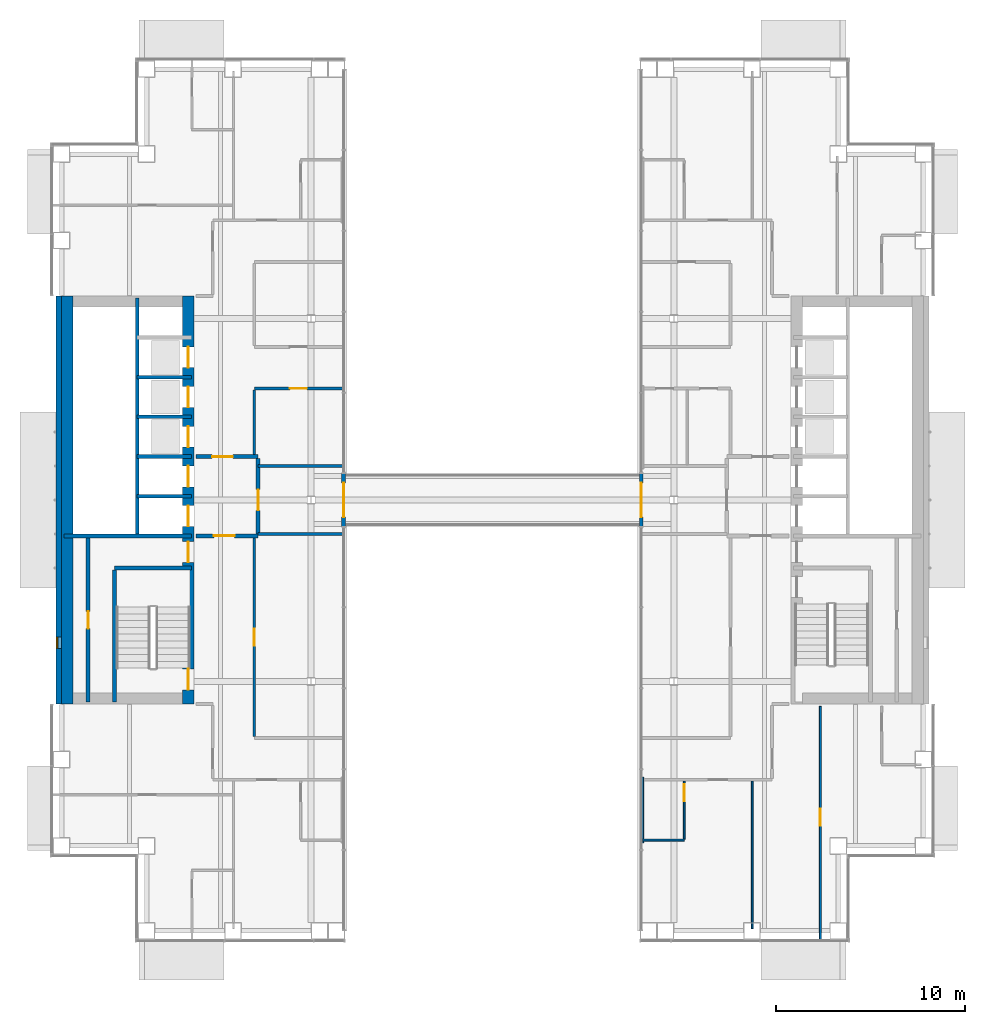
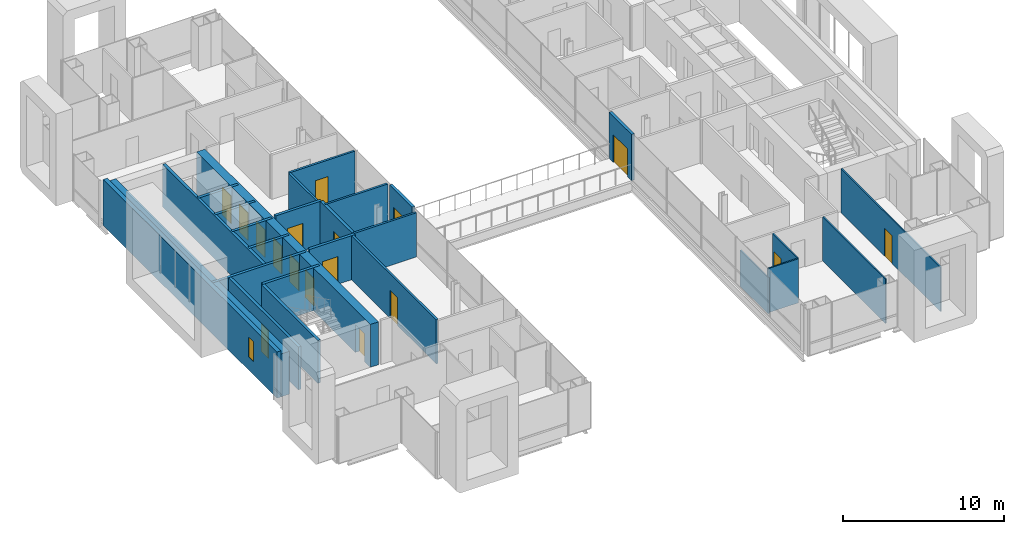
# One storey, part 12 of 20: 27 walls, 17 doors, 1 window, 18 openings.
"""IFC4 building model written with IfcOpenShell, lengths in metres."""

from ifc_helpers import new_model, si_unit, direction, frame, frame_2d, origin, place, context, subcontext, project, spatial, rectangle, extrude, material, layer, layer_set, type_object, element, fill, save


model = new_model("IFC4")

# Units and contexts
model_context = context("Model", 3, precision=1e-05, world=origin(), true_north=direction((0.0, 1.0)))
body_context = subcontext(model_context, "Body", "Model", "MODEL_VIEW")
ifc_project = project(units=[si_unit("LENGTHUNIT", "METRE"), si_unit("AREAUNIT", "SQUARE_METRE"), si_unit("VOLUMEUNIT", "CUBIC_METRE"), si_unit("PLANEANGLEUNIT", "RADIAN"), si_unit("MASSUNIT", "GRAM", prefix="KILO")], contexts=[model_context])

# Site, building, storey
site_placement = place(None, origin())
site = spatial("IfcSite", under=ifc_project, at=site_placement, CompositionType="ELEMENT")
building_placement = place(site_placement, origin())
building = spatial("IfcBuilding", under=site, at=building_placement, Name="Cobrizo Arcos Hotel Tower", CompositionType="ELEMENT")
storey_placement = place(building_placement, frame((0.0, 0.0, 124.0)))
storey = spatial("IfcBuildingStorey", under=building, at=storey_placement, Name="L31", CompositionType="ELEMENT", Elevation=124.0)

# Walls
ifc_material_1 = material(Name="Gypsum board partition")
ifc_layer_1 = layer(ifc_material_1, 0.14990234375)
ifc_layer_set_1 = layer_set([ifc_layer_1], Name="Corridor wall EI 60 150")
wall_type_1 = type_object("IfcWallType", Name="Corridor wall EI 60 150", PredefinedType="PARTITIONING", material=ifc_layer_set_1)
for number, where, z_axis, x_axis, name in (
    (1, (-12.39990234375, -1.800048828125, 0.0), (0.0, 0.0, 1.0), (1.0, 0.0, 0.0), "Partition 018"),
    (2, (-12.39990234375, 1.800048828125, 0.0), (0.0, 0.0, 1.0), (1.0, 0.0, 0.0), "Partition 022"),
):
    element("IfcWall", number, at=place(storey_placement, frame(where, z_axis=z_axis, x_axis=x_axis)), inside=storey, type_object=wall_type_1, Name=name, PredefinedType="PARTITIONING", context=body_context, shape_type="SweptSolid", body=[
        extrude(rectangle(XDim=4.47998046875, YDim=0.14990234375, at=frame_2d((2.239990234375, 0.0))), origin(), (0.0, 0.0, 1.0), 3.35009765625),
    ])

# Wall, opening, door
wall_1_placement = place(storey_placement, frame((-12.60009765625, 5.89990234375, 0.0), z_axis=(0.0, 0.0, 1.0), x_axis=(1.0, 0.0, 0.0)))
wall_1 = element("IfcWall", 3, at=wall_1_placement, inside=storey, type_object=wall_type_1, Name="Partition 030", PredefinedType="PARTITIONING", context=body_context, shape_type="SweptSolid", body=[
    extrude(rectangle(XDim=4.68017578125, YDim=0.14990234375, at=frame_2d((2.340087890625, 0.0))), origin(), (0.0, 0.0, 1.0), 3.35009765625),
])
opening_1_placement = place(wall_1_placement, frame((1.875, 0.0, 0.0)))
opening_1 = element("IfcOpeningElement", 4, at=opening_1_placement, cuts=wall_1, Name="Opening RD-06", PredefinedType="OPENING", context=body_context, shape_type="SweptSolid", body=[
    extrude(rectangle(XDim=0.89990234375, YDim=2.10009765625, at=frame_2d((0.449951171875, 1.050048828125))), frame((0.0, 0.0869140625, 0.0), z_axis=(0.0, -1.0, 0.0), x_axis=(1.0, 0.0, 0.0)), (0.0, 0.0, 1.0), 0.173828125),
])
ifc_material_2 = material(Name="Timber door leaf", Category="wood")
door_type_1 = type_object("IfcDoorType", Name="Room door FD30 900x2100", OperationType="SINGLE_SWING_LEFT", PredefinedType="DOOR", material=ifc_material_2)
door_1_placement = place(opening_1_placement, origin())
door_1 = element("IfcDoor", 5, at=door_1_placement, inside=storey, type_object=door_type_1, Name="Door RD-06", OperationType="SINGLE_SWING_LEFT", OverallHeight=2.10009765625, OverallWidth=0.89990234375, PredefinedType="DOOR", context=body_context, shape_type="SweptSolid", body=[
    extrude(rectangle(XDim=0.89990234375, YDim=2.10009765625, at=frame_2d((0.449951171875, 1.050048828125))), frame((0.0, 0.02490234375, 0.0), z_axis=(0.0, -1.0, 0.0), x_axis=(1.0, 0.0, 0.0)), (0.0, 0.0, 1.0), 0.050048828125),
])
fill(opening_1, door_1)

wall_2_placement = place(storey_placement, frame((-12.60009765625, -12.52490234375, 0.0), z_axis=(0.0, 0.0, 1.0), x_axis=(0.0, 1.0, 0.0)))
wall_2 = element("IfcWall", 6, at=wall_2_placement, inside=storey, type_object=wall_type_1, Name="Partition 058", PredefinedType="PARTITIONING", context=body_context, shape_type="SweptSolid", body=[
    extrude(rectangle(XDim=10.52490234375, YDim=0.14990234375, at=frame_2d((5.262451171875, 0.0))), origin(), (0.0, 0.0, 1.0), 3.35009765625),
])
opening_2_placement = place(wall_2_placement, frame((4.824951171875, 0.0, 0.0)))
opening_2 = element("IfcOpeningElement", 7, at=opening_2_placement, cuts=wall_2, Name="Opening RD-09", PredefinedType="OPENING", context=body_context, shape_type="SweptSolid", body=[
    extrude(rectangle(XDim=0.89990234375, YDim=2.10009765625, at=frame_2d((0.449951171875, 1.050048828125))), frame((0.0, 0.0869140625, 0.0), z_axis=(0.0, -1.0, 0.0), x_axis=(1.0, 0.0, 0.0)), (0.0, 0.0, 1.0), 0.173828125),
])
door_2_placement = place(opening_2_placement, origin())
door_2 = element("IfcDoor", 8, at=door_2_placement, inside=storey, type_object=door_type_1, Name="Door RD-09", OperationType="SINGLE_SWING_RIGHT", OverallHeight=2.10009765625, OverallWidth=0.89990234375, PredefinedType="DOOR", context=body_context, shape_type="SweptSolid", body=[
    extrude(rectangle(XDim=0.89990234375, YDim=2.10009765625, at=frame_2d((0.449951171875, 1.050048828125))), frame((0.0, 0.02490234375, 0.0), z_axis=(0.0, -1.0, 0.0), x_axis=(1.0, 0.0, 0.0)), (0.0, 0.0, 1.0), 0.050048828125),
])
fill(opening_2, door_2)

# Wall
wall_3_placement = place(storey_placement, frame((-12.60009765625, 2.39990234375, 0.0), z_axis=(0.0, 0.0, 1.0), x_axis=(0.0, 1.0, 0.0)))
element("IfcWall", 9, at=wall_3_placement, inside=storey, type_object=wall_type_1, Name="Partition 059", PredefinedType="PARTITIONING", context=body_context, shape_type="SweptSolid", body=[
    extrude(rectangle(XDim=3.425048828125, YDim=0.14990234375, at=frame_2d((1.71240234375, 0.0))), origin(), (0.0, 0.0, 1.0), 3.35009765625),
])

# Wall, opening, window
ifc_material_3 = material(Name="Aluminium composite panel pale metal", Category="aluminium")
ifc_layer_2 = layer(ifc_material_3, 0.300048828125)
ifc_layer_set_2 = layer_set([ifc_layer_2], Name="EW-1 insulated panel wall 300")
wall_type_2 = type_object("IfcWallType", Name="EW-1 insulated panel wall 300", PredefinedType="SOLIDWALL", material=ifc_layer_set_2)
wall_4_placement = place(storey_placement, frame((-22.949951171875, 10.800048828125, 0.0), z_axis=(0.0, 0.0, 1.0), x_axis=(0.0, -1.0, 0.0)))
wall_4 = element("IfcWall", 10, at=wall_4_placement, inside=storey, type_object=wall_type_2, Name="Core face wall L31 W", PredefinedType="SOLIDWALL", context=body_context, shape_type="SweptSolid", body=[
    extrude(rectangle(XDim=21.60009765625, YDim=0.300048828125, at=frame_2d((10.800048828125, 0.0))), origin(), (0.0, 0.0, 1.0), 3.5),
])
opening_3_placement = place(wall_4_placement, frame((18.050048828125, 0.0, 1.0)))
opening_3 = element("IfcOpeningElement", 11, at=opening_3_placement, cuts=wall_4, Name="Opening W-64", PredefinedType="OPENING", context=body_context, shape_type="SweptSolid", body=[
    extrude(rectangle(XDim=0.60009765625, YDim=1.5, at=frame_2d((0.300048828125, 0.75))), frame((0.0, 0.162109375, 0.0), z_axis=(0.0, -1.0, 0.0), x_axis=(1.0, 0.0, 0.0)), (0.0, 0.0, 1.0), 0.323974609375),
])
ifc_material_4 = material(Name="Aluminium 6063-T6 and clear laminated glass", Category="aluminium")
window_type = type_object("IfcWindowType", Name="W-C1 core stair slot window 600x1500", PartitioningType="SINGLE_PANEL", PredefinedType="WINDOW", material=ifc_material_4)
window_placement = place(opening_3_placement, origin())
window = element("IfcWindow", 12, at=window_placement, inside=storey, type_object=window_type, Name="Core face wall L31 W window W-64", OverallHeight=1.5, OverallWidth=0.60009765625, PartitioningType="SINGLE_PANEL", PredefinedType="WINDOW", context=body_context, shape_type="SweptSolid", body=[
    extrude(rectangle(XDim=0.60009765625, YDim=1.5, at=frame_2d((0.300048828125, 0.75))), frame((0.0, -0.06005859375, 0.0), z_axis=(0.0, -1.0, 0.0), x_axis=(1.0, 0.0, 0.0)), (0.0, 0.0, 1.0), 0.06005859375),
])
fill(opening_3, window)

# Wall, opening, door
ifc_material_5 = material(Name="Aluminium 6063-T6 anodised pale", Category="aluminium")
ifc_layer_3 = layer(ifc_material_5, 0.199951171875)
ifc_layer_set_3 = layer_set([ifc_layer_3], Name="EW-4 sky bridge door frame wall")
wall_type_3 = type_object("IfcWallType", Name="EW-4 sky bridge door frame wall", PredefinedType="SOLIDWALL", material=ifc_layer_set_3)
wall_5_placement = place(storey_placement, frame((7.875, -1.39990234375, 0.0), z_axis=(0.0, 0.0, 1.0), x_axis=(0.0, 1.0, 0.0)))
wall_5 = element("IfcWall", 13, at=wall_5_placement, inside=storey, type_object=wall_type_3, Name="Sky bridge door wall B E", PredefinedType="SOLIDWALL", context=body_context, shape_type="SweptSolid", body=[
    extrude(rectangle(XDim=2.7998046875, YDim=0.199951171875, at=frame_2d((1.39990234375, 0.0))), origin(), (0.0, 0.0, 1.0), 3.5),
])
opening_4_placement = place(wall_5_placement, frame((0.5, 0.0, 0.0)))
opening_4 = element("IfcOpeningElement", 14, at=opening_4_placement, cuts=wall_5, Name="Opening E-48", PredefinedType="OPENING", context=body_context, shape_type="SweptSolid", body=[
    extrude(rectangle(XDim=1.800048828125, YDim=2.10009765625, at=frame_2d((0.89990234375, 1.050048828125))), frame((0.0, 0.112060546875, 0.0), z_axis=(0.0, -1.0, 0.0), x_axis=(1.0, 0.0, 0.0)), (0.0, 0.0, 1.0), 0.223876953125),
])
door_type_2 = type_object("IfcDoorType", Name="D-B1 sky bridge double door 1800x2100", OperationType="DOUBLE_DOOR_DOUBLE_SWING", PredefinedType="DOOR", material=ifc_material_4)
door_3_placement = place(opening_4_placement, origin())
door_3 = element("IfcDoor", 15, at=door_3_placement, inside=storey, type_object=door_type_2, Name="Sky bridge door wall B E door E-48", OperationType="DOUBLE_DOOR_DOUBLE_SWING", OverallHeight=2.10009765625, OverallWidth=1.800048828125, PredefinedType="DOOR", context=body_context, shape_type="SweptSolid", body=[
    extrude(rectangle(XDim=1.800048828125, YDim=2.10009765625, at=frame_2d((0.89990234375, 1.050048828125))), frame((0.0, 0.02490234375, 0.0), z_axis=(0.0, -1.0, 0.0), x_axis=(1.0, 0.0, 0.0)), (0.0, 0.0, 1.0), 0.050048828125),
])
fill(opening_4, door_3)

wall_6_placement = place(storey_placement, frame((-7.875, -1.39990234375, 0.0), z_axis=(0.0, 0.0, 1.0), x_axis=(0.0, 1.0, 0.0)))
wall_6 = element("IfcWall", 16, at=wall_6_placement, inside=storey, type_object=wall_type_3, Name="Sky bridge door wall B W", PredefinedType="SOLIDWALL", context=body_context, shape_type="SweptSolid", body=[
    extrude(rectangle(XDim=2.7998046875, YDim=0.199951171875, at=frame_2d((1.39990234375, 0.0))), origin(), (0.0, 0.0, 1.0), 3.5),
])
opening_5_placement = place(wall_6_placement, frame((0.5, 0.0, 0.0)))
opening_5 = element("IfcOpeningElement", 17, at=opening_5_placement, cuts=wall_6, Name="Opening E-49", PredefinedType="OPENING", context=body_context, shape_type="SweptSolid", body=[
    extrude(rectangle(XDim=1.800048828125, YDim=2.10009765625, at=frame_2d((0.89990234375, 1.050048828125))), frame((0.0, 0.112060546875, 0.0), z_axis=(0.0, -1.0, 0.0), x_axis=(1.0, 0.0, 0.0)), (0.0, 0.0, 1.0), 0.223876953125),
])
door_4_placement = place(opening_5_placement, origin())
door_4 = element("IfcDoor", 18, at=door_4_placement, inside=storey, type_object=door_type_2, Name="Sky bridge door wall B W door E-49", OperationType="DOUBLE_DOOR_DOUBLE_SWING", OverallHeight=2.10009765625, OverallWidth=1.800048828125, PredefinedType="DOOR", context=body_context, shape_type="SweptSolid", body=[
    extrude(rectangle(XDim=1.800048828125, YDim=2.10009765625, at=frame_2d((0.89990234375, 1.050048828125))), frame((0.0, 0.02490234375, 0.0), z_axis=(0.0, -1.0, 0.0), x_axis=(1.0, 0.0, 0.0)), (0.0, 0.0, 1.0), 0.050048828125),
])
fill(opening_5, door_4)

# Walls
ifc_layer_4 = layer(ifc_material_1, 0.10009765625)
ifc_layer_set_4 = layer_set([ifc_layer_4], Name="Partition EI 30 100")
wall_type_4 = type_object("IfcWallType", Name="Partition EI 30 100", PredefinedType="PARTITIONING", material=ifc_layer_set_4)
wall_7_placement = place(storey_placement, frame((7.949951171875, -18.0, 0.0), z_axis=(0.0, 0.0, 1.0), x_axis=(1.0, 0.0, 0.0)))
element("IfcWall", 19, at=wall_7_placement, inside=storey, type_object=wall_type_4, Name="Partition 003", PredefinedType="PARTITIONING", context=body_context, shape_type="SweptSolid", body=[
    extrude(rectangle(XDim=2.199951171875, YDim=0.10009765625, at=frame_2d((1.10009765625, 0.0))), origin(), (0.0, 0.0, 1.0), 3.35009765625),
])
wall_8_placement = place(storey_placement, frame((7.949951171875, -18.139892578125, 0.0), z_axis=(0.0, 0.0, 1.0), x_axis=(0.0, 1.0, 0.0)))
element("IfcWall", 20, at=wall_8_placement, inside=storey, type_object=wall_type_4, Name="Partition 066", PredefinedType="PARTITIONING", context=body_context, shape_type="SweptSolid", body=[
    extrude(rectangle(XDim=3.47998046875, YDim=0.10009765625, at=frame_2d((1.739990234375, 0.0))), origin(), (0.0, 0.0, 1.0), 2.73291015625),
])

# Wall, opening, door
wall_9_placement = place(storey_placement, frame((10.14990234375, -17.949951171875, 0.0), z_axis=(0.0, 0.0, 1.0), x_axis=(0.0, 1.0, 0.0)))
wall_9 = element("IfcWall", 21, at=wall_9_placement, inside=storey, type_object=wall_type_4, Name="Partition 069", PredefinedType="PARTITIONING", context=body_context, shape_type="SweptSolid", body=[
    extrude(rectangle(XDim=3.074951171875, YDim=0.10009765625, at=frame_2d((1.53759765625, 0.0))), origin(), (0.0, 0.0, 1.0), 3.35009765625),
])
opening_6_placement = place(wall_9_placement, frame((1.99609375, 0.0, 0.0)))
opening_6 = element("IfcOpeningElement", 22, at=opening_6_placement, cuts=wall_9, Name="Opening ED-04", PredefinedType="OPENING", context=body_context, shape_type="SweptSolid", body=[
    extrude(rectangle(XDim=0.89990234375, YDim=2.10009765625, at=frame_2d((0.449951171875, 1.050048828125))), frame((0.0, 0.06201171875, 0.0), z_axis=(0.0, -1.0, 0.0), x_axis=(1.0, 0.0, 0.0)), (0.0, 0.0, 1.0), 0.1240234375),
])
door_type_3 = type_object("IfcDoorType", Name="En-suite door 900x2100", OperationType="SINGLE_SWING_LEFT", PredefinedType="DOOR", material=ifc_material_2)
door_5_placement = place(opening_6_placement, origin())
door_5 = element("IfcDoor", 23, at=door_5_placement, inside=storey, type_object=door_type_3, Name="Door ED-04", OperationType="SINGLE_SWING_RIGHT", OverallHeight=2.10009765625, OverallWidth=0.89990234375, PredefinedType="DOOR", context=body_context, shape_type="SweptSolid", body=[
    extrude(rectangle(XDim=0.89990234375, YDim=2.10009765625, at=frame_2d((0.449951171875, 1.050048828125))), frame((0.0, 0.02490234375, 0.0), z_axis=(0.0, -1.0, 0.0), x_axis=(1.0, 0.0, 0.0)), (0.0, 0.0, 1.0), 0.050048828125),
])
fill(opening_6, door_5)

# Wall
wall_10_placement = place(storey_placement, frame((13.75, -22.679931640625, 0.0), z_axis=(0.0, 0.0, 1.0), x_axis=(0.0, 1.0, 0.0)))
element("IfcWall", 24, at=wall_10_placement, inside=storey, type_object=wall_type_4, Name="Partition 076", PredefinedType="PARTITIONING", context=body_context, shape_type="SweptSolid", body=[
    extrude(rectangle(XDim=7.804931640625, YDim=0.10009765625, at=frame_2d((3.90234375, 0.0))), origin(), (0.0, 0.0, 1.0), 3.35009765625),
])

# Wall, opening, door
wall_11_placement = place(storey_placement, frame((17.35009765625, -23.280029296875, 0.0), z_axis=(0.0, 0.0, 1.0), x_axis=(0.0, 1.0, 0.0)))
wall_11 = element("IfcWall", 25, at=wall_11_placement, inside=storey, type_object=wall_type_4, Name="Partition 080", PredefinedType="PARTITIONING", context=body_context, shape_type="SweptSolid", body=[
    extrude(rectangle(XDim=12.360107421875, YDim=0.10009765625, at=frame_2d((6.18017578125, 0.0))), origin(), (0.0, 0.0, 1.0), 3.35009765625),
])
opening_7_placement = place(wall_11_placement, frame((6.030029296875, 0.0, 0.0)))
opening_7 = element("IfcOpeningElement", 26, at=opening_7_placement, cuts=wall_11, Name="Opening RD-04", PredefinedType="OPENING", context=body_context, shape_type="SweptSolid", body=[
    extrude(rectangle(XDim=0.89990234375, YDim=2.10009765625, at=frame_2d((0.449951171875, 1.050048828125))), frame((0.0, 0.06201171875, 0.0), z_axis=(0.0, -1.0, 0.0), x_axis=(1.0, 0.0, 0.0)), (0.0, 0.0, 1.0), 0.1240234375),
])
door_6_placement = place(opening_7_placement, origin())
door_6 = element("IfcDoor", 27, at=door_6_placement, inside=storey, type_object=door_type_1, Name="Door RD-04", OperationType="SINGLE_SWING_RIGHT", OverallHeight=2.10009765625, OverallWidth=0.89990234375, PredefinedType="DOOR", context=body_context, shape_type="SweptSolid", body=[
    extrude(rectangle(XDim=0.89990234375, YDim=2.10009765625, at=frame_2d((0.449951171875, 1.050048828125))), frame((0.0, 0.02490234375, 0.0), z_axis=(0.0, -1.0, 0.0), x_axis=(1.0, 0.0, 0.0)), (0.0, 0.0, 1.0), 0.050048828125),
])
fill(opening_7, door_6)

# Wall, openings, doors
ifc_material_6 = material(Name="Concrete f'c 50 MPa", Category="concrete")
ifc_layer_5 = layer(ifc_material_6, 0.60009765625)
ifc_layer_set_5 = layer_set([ifc_layer_5], Name="RC core wall 600 f'c 50")
wall_type_5 = type_object("IfcWallType", Name="RC core wall 600 f'c 50", PredefinedType="SHEAR", material=ifc_layer_set_5)
wall_12_placement = place(storey_placement, frame((-16.10009765625, -10.800048828125, 0.0), z_axis=(0.0, 0.0, 1.0), x_axis=(0.0, 1.0, 0.0)))
wall_12 = element("IfcWall", 28, at=wall_12_placement, inside=storey, type_object=wall_type_5, Name="Core wall CW2, west core, inner face, L31", PredefinedType="SHEAR", context=body_context, shape_type="SweptSolid", body=[
    extrude(rectangle(XDim=21.60009765625, YDim=0.60009765625, at=frame_2d((10.800048828125, 0.0))), origin(), (0.0, 0.0, 1.0), 3.25),
])
opening_8_placement = place(wall_12_placement, frame((9.39990234375, 0.0, 0.0)))
opening_8 = element("IfcOpeningElement", 29, at=opening_8_placement, cuts=wall_12, Name="Opening LD-01", PredefinedType="OPENING", context=body_context, shape_type="SweptSolid", body=[
    extrude(rectangle(XDim=1.10009765625, YDim=2.10009765625, at=frame_2d((0.550048828125, 1.050048828125))), frame((0.0, 0.31201171875, 0.0), z_axis=(0.0, -1.0, 0.0), x_axis=(1.0, 0.0, 0.0)), (0.0, 0.0, 1.0), 0.6240234375),
])
opening_9_placement = place(wall_12_placement, frame((11.5, 0.0, 0.0)))
opening_9 = element("IfcOpeningElement", 30, at=opening_9_placement, cuts=wall_12, Name="Opening LD-02", PredefinedType="OPENING", context=body_context, shape_type="SweptSolid", body=[
    extrude(rectangle(XDim=1.10009765625, YDim=2.10009765625, at=frame_2d((0.550048828125, 1.050048828125))), frame((0.0, 0.31201171875, 0.0), z_axis=(0.0, -1.0, 0.0), x_axis=(1.0, 0.0, 0.0)), (0.0, 0.0, 1.0), 0.6240234375),
])
opening_10_placement = place(wall_12_placement, frame((13.60009765625, 0.0, 0.0)))
opening_10 = element("IfcOpeningElement", 31, at=opening_10_placement, cuts=wall_12, Name="Opening LD-03", PredefinedType="OPENING", context=body_context, shape_type="SweptSolid", body=[
    extrude(rectangle(XDim=1.10009765625, YDim=2.10009765625, at=frame_2d((0.550048828125, 1.050048828125))), frame((0.0, 0.31201171875, 0.0), z_axis=(0.0, -1.0, 0.0), x_axis=(1.0, 0.0, 0.0)), (0.0, 0.0, 1.0), 0.6240234375),
])
opening_11_placement = place(wall_12_placement, frame((15.699951171875, 0.0, 0.0)))
opening_11 = element("IfcOpeningElement", 32, at=opening_11_placement, cuts=wall_12, Name="Opening LD-04", PredefinedType="OPENING", context=body_context, shape_type="SweptSolid", body=[
    extrude(rectangle(XDim=1.10009765625, YDim=2.10009765625, at=frame_2d((0.550048828125, 1.050048828125))), frame((0.0, 0.31201171875, 0.0), z_axis=(0.0, -1.0, 0.0), x_axis=(1.0, 0.0, 0.0)), (0.0, 0.0, 1.0), 0.6240234375),
])
opening_12_placement = place(wall_12_placement, frame((17.800048828125, 0.0, 0.0)))
opening_12 = element("IfcOpeningElement", 33, at=opening_12_placement, cuts=wall_12, Name="Opening LD-05", PredefinedType="OPENING", context=body_context, shape_type="SweptSolid", body=[
    extrude(rectangle(XDim=1.10009765625, YDim=2.10009765625, at=frame_2d((0.550048828125, 1.050048828125))), frame((0.0, 0.31201171875, 0.0), z_axis=(0.0, -1.0, 0.0), x_axis=(1.0, 0.0, 0.0)), (0.0, 0.0, 1.0), 0.6240234375),
])
opening_13_placement = place(wall_12_placement, frame((0.758056640625, 0.0, 0.0)))
opening_13 = element("IfcOpeningElement", 34, at=opening_13_placement, cuts=wall_12, Name="Opening SD-01", PredefinedType="OPENING", context=body_context, shape_type="SweptSolid", body=[
    extrude(rectangle(XDim=1.10009765625, YDim=2.10009765625, at=frame_2d((0.550048828125, 1.050048828125))), frame((0.0, 0.31201171875, 0.0), z_axis=(0.0, -1.0, 0.0), x_axis=(1.0, 0.0, 0.0)), (0.0, 0.0, 1.0), 0.6240234375),
])
opening_14_placement = place(wall_12_placement, frame((7.5, 0.0, 0.0)))
opening_14 = element("IfcOpeningElement", 35, at=opening_14_placement, cuts=wall_12, Name="Opening FD-01", PredefinedType="OPENING", context=body_context, shape_type="SweptSolid", body=[
    extrude(rectangle(XDim=1.10009765625, YDim=2.10009765625, at=frame_2d((0.550048828125, 1.050048828125))), frame((0.0, 0.31201171875, 0.0), z_axis=(0.0, -1.0, 0.0), x_axis=(1.0, 0.0, 0.0)), (0.0, 0.0, 1.0), 0.6240234375),
])
ifc_material_7 = material(Name="Steel door leaf", Category="steel")
door_type_4 = type_object("IfcDoorType", Name="Fire door FD60 1100x2100", OperationType="SINGLE_SWING_LEFT", PredefinedType="DOOR", material=ifc_material_7)
door_7_placement = place(opening_14_placement, origin())
door_7 = element("IfcDoor", 36, at=door_7_placement, inside=storey, type_object=door_type_4, Name="Door FD-01", OperationType="SINGLE_SWING_LEFT", OverallHeight=2.10009765625, OverallWidth=1.10009765625, PredefinedType="DOOR", context=body_context, shape_type="SweptSolid", body=[
    extrude(rectangle(XDim=1.10009765625, YDim=2.10009765625, at=frame_2d((0.550048828125, 1.050048828125))), frame((0.0, 0.02490234375, 0.0), z_axis=(0.0, -1.0, 0.0), x_axis=(1.0, 0.0, 0.0)), (0.0, 0.0, 1.0), 0.050048828125),
])
fill(opening_14, door_7)
door_type_5 = type_object("IfcDoorType", Name="Lift landing door 1100x2100", OperationType="SLIDING_TO_LEFT", PredefinedType="DOOR", material=ifc_material_7)
door_8_placement = place(opening_8_placement, origin())
door_8 = element("IfcDoor", 37, at=door_8_placement, inside=storey, type_object=door_type_5, Name="Lift landing door LD-01", OperationType="SLIDING_TO_LEFT", OverallHeight=2.10009765625, OverallWidth=1.10009765625, PredefinedType="DOOR", context=body_context, shape_type="SweptSolid", body=[
    extrude(rectangle(XDim=1.10009765625, YDim=2.10009765625, at=frame_2d((0.550048828125, 1.050048828125))), frame((0.0, 0.02490234375, 0.0), z_axis=(0.0, -1.0, 0.0), x_axis=(1.0, 0.0, 0.0)), (0.0, 0.0, 1.0), 0.050048828125),
])
fill(opening_8, door_8)
door_9_placement = place(opening_9_placement, origin())
door_9 = element("IfcDoor", 38, at=door_9_placement, inside=storey, type_object=door_type_5, Name="Lift landing door LD-02", OperationType="SLIDING_TO_LEFT", OverallHeight=2.10009765625, OverallWidth=1.10009765625, PredefinedType="DOOR", context=body_context, shape_type="SweptSolid", body=[
    extrude(rectangle(XDim=1.10009765625, YDim=2.10009765625, at=frame_2d((0.550048828125, 1.050048828125))), frame((0.0, 0.02490234375, 0.0), z_axis=(0.0, -1.0, 0.0), x_axis=(1.0, 0.0, 0.0)), (0.0, 0.0, 1.0), 0.050048828125),
])
fill(opening_9, door_9)
door_10_placement = place(opening_10_placement, origin())
door_10 = element("IfcDoor", 39, at=door_10_placement, inside=storey, type_object=door_type_5, Name="Lift landing door LD-03", OperationType="SLIDING_TO_LEFT", OverallHeight=2.10009765625, OverallWidth=1.10009765625, PredefinedType="DOOR", context=body_context, shape_type="SweptSolid", body=[
    extrude(rectangle(XDim=1.10009765625, YDim=2.10009765625, at=frame_2d((0.550048828125, 1.050048828125))), frame((0.0, 0.02490234375, 0.0), z_axis=(0.0, -1.0, 0.0), x_axis=(1.0, 0.0, 0.0)), (0.0, 0.0, 1.0), 0.050048828125),
])
fill(opening_10, door_10)
door_11_placement = place(opening_11_placement, origin())
door_11 = element("IfcDoor", 40, at=door_11_placement, inside=storey, type_object=door_type_5, Name="Lift landing door LD-04", OperationType="SLIDING_TO_LEFT", OverallHeight=2.10009765625, OverallWidth=1.10009765625, PredefinedType="DOOR", context=body_context, shape_type="SweptSolid", body=[
    extrude(rectangle(XDim=1.10009765625, YDim=2.10009765625, at=frame_2d((0.550048828125, 1.050048828125))), frame((0.0, 0.02490234375, 0.0), z_axis=(0.0, -1.0, 0.0), x_axis=(1.0, 0.0, 0.0)), (0.0, 0.0, 1.0), 0.050048828125),
])
fill(opening_11, door_11)
door_12_placement = place(opening_12_placement, origin())
door_12 = element("IfcDoor", 41, at=door_12_placement, inside=storey, type_object=door_type_5, Name="Lift landing door LD-05", OperationType="SLIDING_TO_LEFT", OverallHeight=2.10009765625, OverallWidth=1.10009765625, PredefinedType="DOOR", context=body_context, shape_type="SweptSolid", body=[
    extrude(rectangle(XDim=1.10009765625, YDim=2.10009765625, at=frame_2d((0.550048828125, 1.050048828125))), frame((0.0, 0.02490234375, 0.0), z_axis=(0.0, -1.0, 0.0), x_axis=(1.0, 0.0, 0.0)), (0.0, 0.0, 1.0), 0.050048828125),
])
fill(opening_12, door_12)
door_type_6 = type_object("IfcDoorType", Name="Stair door FD60S 1100x2100", OperationType="SINGLE_SWING_LEFT", PredefinedType="DOOR", material=ifc_material_7)
door_13_placement = place(opening_13_placement, origin())
door_13 = element("IfcDoor", 42, at=door_13_placement, inside=storey, type_object=door_type_6, Name="Door SD-01", OperationType="SINGLE_SWING_RIGHT", OverallHeight=2.10009765625, OverallWidth=1.10009765625, PredefinedType="DOOR", context=body_context, shape_type="SweptSolid", body=[
    extrude(rectangle(XDim=1.10009765625, YDim=2.10009765625, at=frame_2d((0.550048828125, 1.050048828125))), frame((0.0, 0.02490234375, 0.0), z_axis=(0.0, -1.0, 0.0), x_axis=(1.0, 0.0, 0.0)), (0.0, 0.0, 1.0), 0.050048828125),
])
fill(opening_13, door_13)

# Walls
wall_13_placement = place(storey_placement, frame((-22.5, -10.800048828125, 0.0), z_axis=(0.0, 0.0, 1.0), x_axis=(0.0, 1.0, 0.0)))
element("IfcWall", 43, at=wall_13_placement, inside=storey, type_object=wall_type_5, Name="Core wall CW2, west core, outer face, L31", PredefinedType="SHEAR", context=body_context, shape_type="SweptSolid", body=[
    extrude(rectangle(XDim=21.60009765625, YDim=0.60009765625, at=frame_2d((10.800048828125, 0.0))), origin(), (0.0, 0.0, 1.0), 3.25),
])
ifc_layer_6 = layer(ifc_material_1, 0.199951171875)
ifc_layer_set_6 = layer_set([ifc_layer_6], Name="Shaft wall EI 120 200")
wall_type_6 = type_object("IfcWallType", Name="Shaft wall EI 120 200", PredefinedType="PARTITIONING", material=ifc_layer_set_6)
wall_14_placement = place(storey_placement, frame((-22.679931640625, -1.89990234375, 0.0), z_axis=(0.0, 0.0, 1.0), x_axis=(1.0, 0.0, 0.0)))
element("IfcWall", 44, at=wall_14_placement, inside=storey, type_object=wall_type_6, Name="Partition 014", PredefinedType="PARTITIONING", context=body_context, shape_type="SweptSolid", body=[
    extrude(rectangle(XDim=6.760009765625, YDim=0.199951171875, at=frame_2d((3.3798828125, 0.0))), origin(), (0.0, 0.0, 1.0), 3.25),
])

# Wall, opening, door
wall_15_placement = place(storey_placement, frame((-15.679931640625, -1.89990234375, 0.0), z_axis=(0.0, 0.0, 1.0), x_axis=(1.0, 0.0, 0.0)))
wall_15 = element("IfcWall", 45, at=wall_15_placement, inside=storey, type_object=wall_type_6, Name="Partition 015", PredefinedType="PARTITIONING", context=body_context, shape_type="SweptSolid", body=[
    extrude(rectangle(XDim=3.280029296875, YDim=0.199951171875, at=frame_2d((1.64013671875, 0.0))), origin(), (0.0, 0.0, 1.0), 3.35009765625),
])
opening_15_placement = place(wall_15_placement, frame((0.93994140625, 0.0, 0.0)))
opening_15 = element("IfcOpeningElement", 46, at=opening_15_placement, cuts=wall_15, Name="Opening FD-03", PredefinedType="OPENING", context=body_context, shape_type="SweptSolid", body=[
    extrude(rectangle(XDim=1.10009765625, YDim=2.10009765625, at=frame_2d((0.550048828125, 1.050048828125))), frame((0.0, 0.112060546875, 0.0), z_axis=(0.0, -1.0, 0.0), x_axis=(1.0, 0.0, 0.0)), (0.0, 0.0, 1.0), 0.223876953125),
])
door_14_placement = place(opening_15_placement, origin())
door_14 = element("IfcDoor", 47, at=door_14_placement, inside=storey, type_object=door_type_4, Name="Door FD-03", OperationType="SINGLE_SWING_RIGHT", OverallHeight=2.10009765625, OverallWidth=1.10009765625, PredefinedType="DOOR", context=body_context, shape_type="SweptSolid", body=[
    extrude(rectangle(XDim=1.10009765625, YDim=2.10009765625, at=frame_2d((0.550048828125, 1.050048828125))), frame((0.0, 0.02490234375, 0.0), z_axis=(0.0, -1.0, 0.0), x_axis=(1.0, 0.0, 0.0)), (0.0, 0.0, 1.0), 0.050048828125),
])
fill(opening_15, door_14)

# Walls
for number, where, z_axis, x_axis, name in (
    (48, (-18.800048828125, 0.199951171875, 0.0), (0.0, 0.0, 1.0), (1.0, 0.0, 0.0), "Partition 020"),
    (49, (-18.800048828125, 2.300048828125, 0.0), (0.0, 0.0, 1.0), (1.0, 0.0, 0.0), "Partition 024"),
):
    element("IfcWall", number, at=place(storey_placement, frame(where, z_axis=z_axis, x_axis=x_axis)), inside=storey, type_object=wall_type_6, Name=name, PredefinedType="PARTITIONING", context=body_context, shape_type="SweptSolid", body=[
        extrude(rectangle(XDim=2.880126953125, YDim=0.199951171875, at=frame_2d((1.43994140625, 0.0))), origin(), (0.0, 0.0, 1.0), 3.25),
    ])

# Wall, opening, door
wall_16_placement = place(storey_placement, frame((-15.679931640625, 2.300048828125, 0.0), z_axis=(0.0, 0.0, 1.0), x_axis=(1.0, 0.0, 0.0)))
wall_16 = element("IfcWall", 50, at=wall_16_placement, inside=storey, type_object=wall_type_6, Name="Partition 025", PredefinedType="PARTITIONING", context=body_context, shape_type="SweptSolid", body=[
    extrude(rectangle(XDim=3.280029296875, YDim=0.199951171875, at=frame_2d((1.64013671875, 0.0))), origin(), (0.0, 0.0, 1.0), 3.35009765625),
])
opening_16_placement = place(wall_16_placement, frame((0.840087890625, 0.0, 0.0)))
opening_16 = element("IfcOpeningElement", 51, at=opening_16_placement, cuts=wall_16, Name="Opening FD-04", PredefinedType="OPENING", context=body_context, shape_type="SweptSolid", body=[
    extrude(rectangle(XDim=1.10009765625, YDim=2.10009765625, at=frame_2d((0.550048828125, 1.050048828125))), frame((0.0, 0.112060546875, 0.0), z_axis=(0.0, -1.0, 0.0), x_axis=(1.0, 0.0, 0.0)), (0.0, 0.0, 1.0), 0.223876953125),
])
door_15_placement = place(opening_16_placement, origin())
door_15 = element("IfcDoor", 52, at=door_15_placement, inside=storey, type_object=door_type_4, Name="Door FD-04", OperationType="SINGLE_SWING_RIGHT", OverallHeight=2.10009765625, OverallWidth=1.10009765625, PredefinedType="DOOR", context=body_context, shape_type="SweptSolid", body=[
    extrude(rectangle(XDim=1.10009765625, YDim=2.10009765625, at=frame_2d((0.550048828125, 1.050048828125))), frame((0.0, 0.02490234375, 0.0), z_axis=(0.0, -1.0, 0.0), x_axis=(1.0, 0.0, 0.0)), (0.0, 0.0, 1.0), 0.050048828125),
])
fill(opening_16, door_15)

# Walls
for number, where, z_axis, x_axis, name in (
    (53, (-18.800048828125, 4.39990234375, 0.0), (0.0, 0.0, 1.0), (1.0, 0.0, 0.0), "Partition 028"),
    (54, (-18.800048828125, 6.5, 0.0), (0.0, 0.0, 1.0), (1.0, 0.0, 0.0), "Partition 032"),
):
    element("IfcWall", number, at=place(storey_placement, frame(where, z_axis=z_axis, x_axis=x_axis)), inside=storey, type_object=wall_type_6, Name=name, PredefinedType="PARTITIONING", context=body_context, shape_type="SweptSolid", body=[
        extrude(rectangle(XDim=2.880126953125, YDim=0.199951171875, at=frame_2d((1.43994140625, 0.0))), origin(), (0.0, 0.0, 1.0), 3.25),
    ])

# Wall, opening, door
wall_17_placement = place(storey_placement, frame((-21.39990234375, -10.679931640625, 0.0), z_axis=(0.0, 0.0, 1.0), x_axis=(0.0, 1.0, 0.0)))
wall_17 = element("IfcWall", 55, at=wall_17_placement, inside=storey, type_object=wall_type_6, Name="Partition 049", PredefinedType="PARTITIONING", context=body_context, shape_type="SweptSolid", body=[
    extrude(rectangle(XDim=8.679931640625, YDim=0.199951171875, at=frame_2d((4.33984375, 0.0))), origin(), (0.0, 0.0, 1.0), 3.25),
])
opening_17_placement = place(wall_17_placement, frame((3.8798828125, 0.0, 0.0)))
opening_17 = element("IfcOpeningElement", 56, at=opening_17_placement, cuts=wall_17, Name="Opening ED-01", PredefinedType="OPENING", context=body_context, shape_type="SweptSolid", body=[
    extrude(rectangle(XDim=0.89990234375, YDim=2.10009765625, at=frame_2d((0.449951171875, 1.050048828125))), frame((0.0, 0.112060546875, 0.0), z_axis=(0.0, -1.0, 0.0), x_axis=(1.0, 0.0, 0.0)), (0.0, 0.0, 1.0), 0.223876953125),
])
door_16_placement = place(opening_17_placement, origin())
door_16 = element("IfcDoor", 57, at=door_16_placement, inside=storey, type_object=door_type_3, Name="Door ED-01", OperationType="SINGLE_SWING_RIGHT", OverallHeight=2.10009765625, OverallWidth=0.89990234375, PredefinedType="DOOR", context=body_context, shape_type="SweptSolid", body=[
    extrude(rectangle(XDim=0.89990234375, YDim=2.10009765625, at=frame_2d((0.449951171875, 1.050048828125))), frame((0.0, 0.02490234375, 0.0), z_axis=(0.0, -1.0, 0.0), x_axis=(1.0, 0.0, 0.0)), (0.0, 0.0, 1.0), 0.050048828125),
])
fill(opening_17, door_16)

# Wall
wall_18_placement = place(storey_placement, frame((-18.800048828125, -1.800048828125, 0.0), z_axis=(0.0, 0.0, 1.0), x_axis=(0.0, 1.0, 0.0)))
element("IfcWall", 58, at=wall_18_placement, inside=storey, type_object=wall_type_6, Name="Partition 051", PredefinedType="PARTITIONING", context=body_context, shape_type="SweptSolid", body=[
    extrude(rectangle(XDim=12.47998046875, YDim=0.199951171875, at=frame_2d((6.239990234375, 0.0))), origin(), (0.0, 0.0, 1.0), 3.25),
])

# Wall, opening, door
wall_19_placement = place(storey_placement, frame((-12.39990234375, -1.800048828125, 0.0), z_axis=(0.0, 0.0, 1.0), x_axis=(0.0, 1.0, 0.0)))
wall_19 = element("IfcWall", 59, at=wall_19_placement, inside=storey, type_object=wall_type_6, Name="Partition 061", PredefinedType="PARTITIONING", context=body_context, shape_type="SweptSolid", body=[
    extrude(rectangle(XDim=4.0, YDim=0.199951171875, at=frame_2d((2.0, 0.0))), origin(), (0.0, 0.0, 1.0), 3.35009765625),
])
opening_18_placement = place(wall_19_placement, frame((1.25, 0.0, 0.0)))
opening_18 = element("IfcOpeningElement", 60, at=opening_18_placement, cuts=wall_19, Name="Opening FD-02", PredefinedType="OPENING", context=body_context, shape_type="SweptSolid", body=[
    extrude(rectangle(XDim=1.10009765625, YDim=2.10009765625, at=frame_2d((0.550048828125, 1.050048828125))), frame((0.0, 0.112060546875, 0.0), z_axis=(0.0, -1.0, 0.0), x_axis=(1.0, 0.0, 0.0)), (0.0, 0.0, 1.0), 0.223876953125),
])
door_17_placement = place(opening_18_placement, origin())
door_17 = element("IfcDoor", 61, at=door_17_placement, inside=storey, type_object=door_type_4, Name="Door FD-02", OperationType="SINGLE_SWING_LEFT", OverallHeight=2.10009765625, OverallWidth=1.10009765625, PredefinedType="DOOR", context=body_context, shape_type="SweptSolid", body=[
    extrude(rectangle(XDim=1.10009765625, YDim=2.10009765625, at=frame_2d((0.550048828125, 1.050048828125))), frame((0.0, 0.02490234375, 0.0), z_axis=(0.0, -1.0, 0.0), x_axis=(1.0, 0.0, 0.0)), (0.0, 0.0, 1.0), 0.050048828125),
])
fill(opening_18, door_17)

# Walls
ifc_material_8 = material(Name="Concrete f'c 40 MPa", Category="concrete")
ifc_layer_7 = layer(ifc_material_8, 0.199951171875)
ifc_layer_set_7 = layer_set([ifc_layer_7], Name="Stair shaft wall 200")
wall_type_7 = type_object("IfcWallType", Name="Stair shaft wall 200", PredefinedType="SHEAR", material=ifc_layer_set_7)
wall_20_placement = place(storey_placement, frame((-20.0, -3.60009765625, 0.0), z_axis=(0.0, 0.0, 1.0), x_axis=(1.0, 0.0, 0.0)))
element("IfcWall", 62, at=wall_20_placement, inside=storey, type_object=wall_type_7, Name="Stair shaft wall W", PredefinedType="SHEAR", context=body_context, shape_type="SweptSolid", body=[
    extrude(rectangle(XDim=4.080078125, YDim=0.199951171875, at=frame_2d((2.0400390625, 0.0))), origin(), (0.0, 0.0, 1.0), 3.25),
])
wall_21_placement = place(storey_placement, frame((-20.0, -10.679931640625, 0.0), z_axis=(0.0, 0.0, 1.0), x_axis=(0.0, 1.0, 0.0)))
element("IfcWall", 63, at=wall_21_placement, inside=storey, type_object=wall_type_7, Name="Stair shaft wall W", PredefinedType="SHEAR", context=body_context, shape_type="SweptSolid", body=[
    extrude(rectangle(XDim=6.97998046875, YDim=0.199951171875, at=frame_2d((3.489990234375, 0.0))), origin(), (0.0, 0.0, 1.0), 3.25),
])

save(model, "model.ifc")
